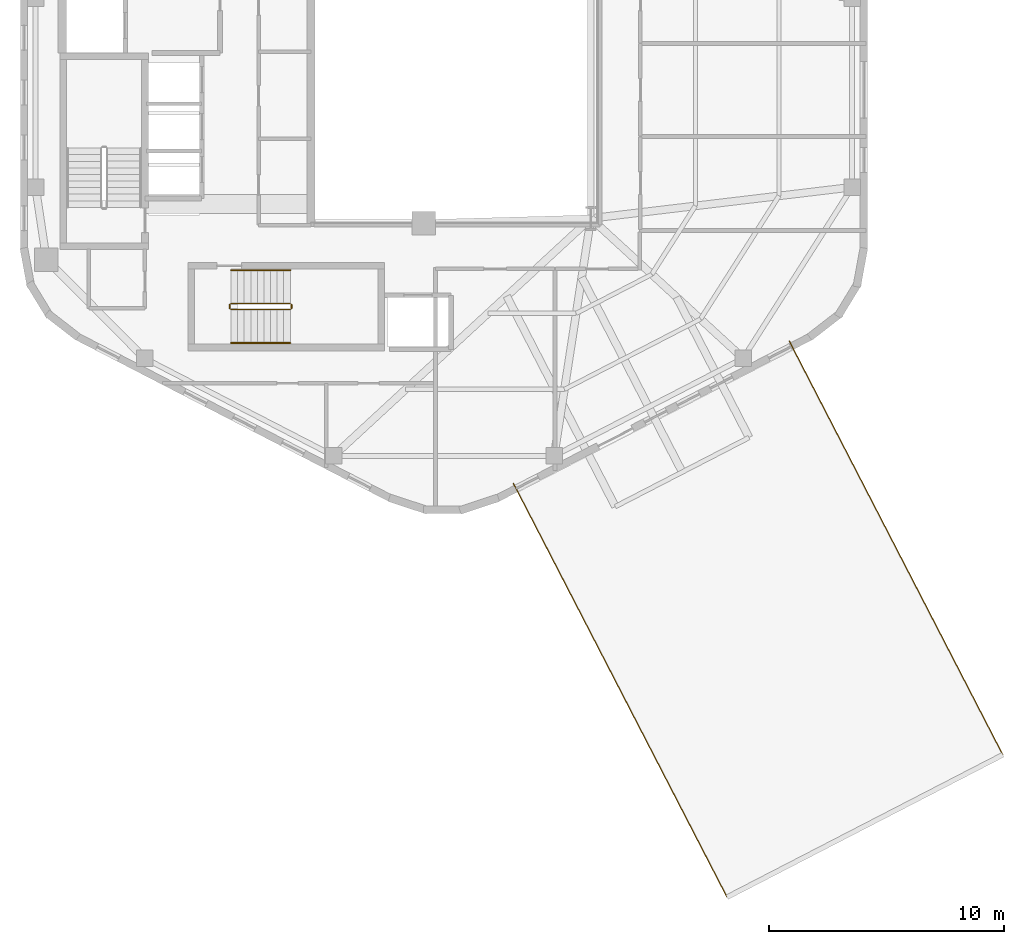
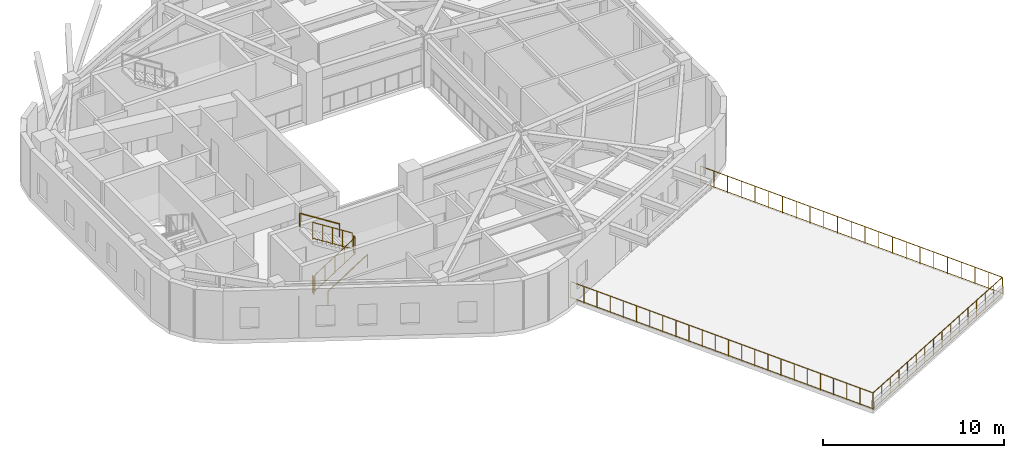
# One storey, part 7 of 8: 7 railings.
"""IFC4 building model written with IfcOpenShell, lengths in metres."""

from ifc_helpers import new_model, si_unit, direction, frame, origin, origin_2d, place, context, subcontext, project, spatial, circle, extrude, material, type_object, element, save


model = new_model("IFC4")

# Units and contexts
model_context = context("Model", 3, precision=1e-05, world=origin(), true_north=direction((0.0, 1.0)))
body_context = subcontext(model_context, "Body", "Model", "MODEL_VIEW")
ifc_project = project(units=[si_unit("LENGTHUNIT", "METRE"), si_unit("AREAUNIT", "SQUARE_METRE"), si_unit("VOLUMEUNIT", "CUBIC_METRE"), si_unit("PLANEANGLEUNIT", "RADIAN"), si_unit("MASSUNIT", "GRAM", prefix="KILO"), si_unit("THERMODYNAMICTEMPERATUREUNIT", "KELVIN"), si_unit("POWERUNIT", "WATT")], contexts=[model_context])

# Site, building, storey
site_placement = place(None, origin())
site = spatial("IfcSite", under=ifc_project, at=site_placement, CompositionType="ELEMENT")
building_placement = place(site_placement, origin())
building = spatial("IfcBuilding", under=site, at=building_placement, Name="Skarre Station Tower", CompositionType="ELEMENT")
storey_placement = place(building_placement, frame((0.0, 0.0, 245.449951171875)))
storey = spatial("IfcBuildingStorey", under=building, at=storey_placement, Name="L67", CompositionType="ELEMENT", Elevation=245.449951171875)

# Railings
ifc_material_1 = material(Name="Stainless Steel Grade 316L & Laminated Safety Glass", Category="steel")
railing_type_1 = type_object("IfcRailingType", Name="Laminated Glass & Stainless Terrace Guardrail 1150", PredefinedType="BALUSTRADE", material=ifc_material_1)
railing_1_placement = place(storey_placement, frame((36.157958984375, 7.3779296875, 0.0)))
element("IfcRailing", 1, at=railing_1_placement, inside=storey, type_object=railing_type_1, Name="L67 SB-5 Sky-Bar Roof Terrace Guardrail", PredefinedType="BALUSTRADE", context=body_context, shape_type="SweptSolid", body=[
    extrude(circle(Radius=0.02392578125, at=origin_2d()), frame((0.0, 0.0, 1.1259765625), z_axis=(0.45873211625, -0.888574614493, 0.0), x_axis=(0.888574614493, 0.45873211625, 0.0)), (0.0, 0.0, 1.0), 19.80029296875),
    extrude(circle(Radius=0.02099609375, at=origin_2d()), frame((0.0, 0.0, 0.06005859375), z_axis=(0.45873211625, -0.888574614493, 0.0), x_axis=(0.888574614493, 0.45873211625, 0.0)), (0.0, 0.0, 1.0), 19.80029296875),
    extrude(circle(Radius=0.02392578125, at=origin_2d()), frame((9.0830078125, -17.593994140625, 1.1259765625), z_axis=(0.888574451081, 0.458732432782, 0.0), x_axis=(-0.458732432782, 0.888574451081, 0.0)), (0.0, 0.0, 1.0), 13.19970703125),
    extrude(circle(Radius=0.02099609375, at=origin_2d()), frame((9.0830078125, -17.593994140625, 0.06005859375), z_axis=(0.888574451081, 0.458732432782, 0.0), x_axis=(-0.458732432782, 0.888574451081, 0.0)), (0.0, 0.0, 1.0), 13.19970703125),
    extrude(circle(Radius=0.02392578125, at=origin_2d()), frame((20.81201171875, -11.538818359375, 1.1259765625), z_axis=(-0.458693173014, 0.888594718097, 0.0), x_axis=(-0.888594718097, -0.458693173014, 0.0)), (0.0, 0.0, 1.0), 19.7998046875),
    extrude(circle(Radius=0.02099609375, at=origin_2d()), frame((20.81201171875, -11.538818359375, 0.06005859375), z_axis=(-0.458693173014, 0.888594718097, 0.0), x_axis=(-0.888594718097, -0.458693173014, 0.0)), (0.0, 0.0, 1.0), 19.7998046875),
    extrude(circle(Radius=0.02099609375, at=origin_2d()), origin(), (0.0, 0.0, 1.0), 1.101806640625),
    extrude(circle(Radius=0.02099609375, at=origin_2d()), frame((0.39501953125, -0.764892578125, 0.0)), (0.0, 0.0, 1.0), 1.101806640625),
    extrude(circle(Radius=0.02099609375, at=origin_2d()), frame((0.789794921875, -1.530029296875, 0.0)), (0.0, 0.0, 1.0), 1.101806640625),
    extrude(circle(Radius=0.02099609375, at=origin_2d()), frame((1.184814453125, -2.294921875, 0.0)), (0.0, 0.0, 1.0), 1.101806640625),
    extrude(circle(Radius=0.02099609375, at=origin_2d()), frame((1.57958984375, -3.059814453125, 0.0)), (0.0, 0.0, 1.0), 1.101806640625),
    extrude(circle(Radius=0.02099609375, at=origin_2d()), frame((1.974609375, -3.82470703125, 0.0)), (0.0, 0.0, 1.0), 1.101806640625),
    extrude(circle(Radius=0.02099609375, at=origin_2d()), frame((2.369384765625, -4.58984375, 0.0)), (0.0, 0.0, 1.0), 1.101806640625),
    extrude(circle(Radius=0.02099609375, at=origin_2d()), frame((2.764404296875, -5.354736328125, 0.0)), (0.0, 0.0, 1.0), 1.101806640625),
    extrude(circle(Radius=0.02099609375, at=origin_2d()), frame((3.159423828125, -6.11962890625, 0.0)), (0.0, 0.0, 1.0), 1.101806640625),
    extrude(circle(Radius=0.02099609375, at=origin_2d()), frame((3.55419921875, -6.884521484375, 0.0)), (0.0, 0.0, 1.0), 1.101806640625),
    extrude(circle(Radius=0.02099609375, at=origin_2d()), frame((3.94921875, -7.649658203125, 0.0)), (0.0, 0.0, 1.0), 1.101806640625),
    extrude(circle(Radius=0.02099609375, at=origin_2d()), frame((4.343994140625, -8.41455078125, 0.0)), (0.0, 0.0, 1.0), 1.101806640625),
    extrude(circle(Radius=0.02099609375, at=origin_2d()), frame((4.739013671875, -9.179443359375, 0.0)), (0.0, 0.0, 1.0), 1.101806640625),
    extrude(circle(Radius=0.02099609375, at=origin_2d()), frame((5.1337890625, -9.9443359375, 0.0)), (0.0, 0.0, 1.0), 1.101806640625),
    extrude(circle(Radius=0.02099609375, at=origin_2d()), frame((5.52880859375, -10.70947265625, 0.0)), (0.0, 0.0, 1.0), 1.101806640625),
    extrude(circle(Radius=0.02099609375, at=origin_2d()), frame((5.923583984375, -11.474365234375, 0.0)), (0.0, 0.0, 1.0), 1.101806640625),
    extrude(circle(Radius=0.02099609375, at=origin_2d()), frame((6.318603515625, -12.2392578125, 0.0)), (0.0, 0.0, 1.0), 1.101806640625),
    extrude(circle(Radius=0.02099609375, at=origin_2d()), frame((6.713623046875, -13.004150390625, 0.0)), (0.0, 0.0, 1.0), 1.101806640625),
    extrude(circle(Radius=0.02099609375, at=origin_2d()), frame((7.1083984375, -13.769287109375, 0.0)), (0.0, 0.0, 1.0), 1.101806640625),
    extrude(circle(Radius=0.02099609375, at=origin_2d()), frame((7.50341796875, -14.5341796875, 0.0)), (0.0, 0.0, 1.0), 1.101806640625),
    extrude(circle(Radius=0.02099609375, at=origin_2d()), frame((7.898193359375, -15.299072265625, 0.0)), (0.0, 0.0, 1.0), 1.101806640625),
    extrude(circle(Radius=0.02099609375, at=origin_2d()), frame((8.293212890625, -16.06396484375, 0.0)), (0.0, 0.0, 1.0), 1.101806640625),
    extrude(circle(Radius=0.02099609375, at=origin_2d()), frame((8.68798828125, -16.8291015625, 0.0)), (0.0, 0.0, 1.0), 1.101806640625),
    extrude(circle(Radius=0.02099609375, at=origin_2d()), frame((9.0830078125, -17.593994140625, 0.0)), (0.0, 0.0, 1.0), 1.101806640625),
    extrude(circle(Radius=0.02099609375, at=origin_2d()), frame((9.864990234375, -17.1904296875, 0.0)), (0.0, 0.0, 1.0), 1.101806640625),
    extrude(circle(Radius=0.02099609375, at=origin_2d()), frame((10.64697265625, -16.78662109375, 0.0)), (0.0, 0.0, 1.0), 1.101806640625),
    extrude(circle(Radius=0.02099609375, at=origin_2d()), frame((11.4287109375, -16.383056640625, 0.0)), (0.0, 0.0, 1.0), 1.101806640625),
    extrude(circle(Radius=0.02099609375, at=origin_2d()), frame((12.210693359375, -15.979248046875, 0.0)), (0.0, 0.0, 1.0), 1.101806640625),
    extrude(circle(Radius=0.02099609375, at=origin_2d()), frame((12.99267578125, -15.57568359375, 0.0)), (0.0, 0.0, 1.0), 1.101806640625),
    extrude(circle(Radius=0.02099609375, at=origin_2d()), frame((13.774658203125, -15.171875, 0.0)), (0.0, 0.0, 1.0), 1.101806640625),
    extrude(circle(Radius=0.02099609375, at=origin_2d()), frame((14.556640625, -14.768310546875, 0.0)), (0.0, 0.0, 1.0), 1.101806640625),
    extrude(circle(Radius=0.02099609375, at=origin_2d()), frame((15.33837890625, -14.364501953125, 0.0)), (0.0, 0.0, 1.0), 1.101806640625),
    extrude(circle(Radius=0.02099609375, at=origin_2d()), frame((16.120361328125, -13.9609375, 0.0)), (0.0, 0.0, 1.0), 1.101806640625),
    extrude(circle(Radius=0.02099609375, at=origin_2d()), frame((16.90234375, -13.55712890625, 0.0)), (0.0, 0.0, 1.0), 1.101806640625),
    extrude(circle(Radius=0.02099609375, at=origin_2d()), frame((17.684326171875, -13.153564453125, 0.0)), (0.0, 0.0, 1.0), 1.101806640625),
    extrude(circle(Radius=0.02099609375, at=origin_2d()), frame((18.46630859375, -12.749755859375, 0.0)), (0.0, 0.0, 1.0), 1.101806640625),
    extrude(circle(Radius=0.02099609375, at=origin_2d()), frame((19.248046875, -12.34619140625, 0.0)), (0.0, 0.0, 1.0), 1.101806640625),
    extrude(circle(Radius=0.02099609375, at=origin_2d()), frame((20.030029296875, -11.9423828125, 0.0)), (0.0, 0.0, 1.0), 1.101806640625),
    extrude(circle(Radius=0.02099609375, at=origin_2d()), frame((20.81201171875, -11.538818359375, 0.0)), (0.0, 0.0, 1.0), 1.101806640625),
    extrude(circle(Radius=0.02099609375, at=origin_2d()), frame((20.399169921875, -10.739013671875, 0.0)), (0.0, 0.0, 1.0), 1.101806640625),
    extrude(circle(Radius=0.02099609375, at=origin_2d()), frame((19.986328125, -9.939453125, 0.0)), (0.0, 0.0, 1.0), 1.101806640625),
    extrude(circle(Radius=0.02099609375, at=origin_2d()), frame((19.573486328125, -9.1396484375, 0.0)), (0.0, 0.0, 1.0), 1.101806640625),
    extrude(circle(Radius=0.02099609375, at=origin_2d()), frame((19.16064453125, -8.33984375, 0.0)), (0.0, 0.0, 1.0), 1.101806640625),
    extrude(circle(Radius=0.02099609375, at=origin_2d()), frame((18.747802734375, -7.540283203125, 0.0)), (0.0, 0.0, 1.0), 1.101806640625),
    extrude(circle(Radius=0.02099609375, at=origin_2d()), frame((18.335205078125, -6.740478515625, 0.0)), (0.0, 0.0, 1.0), 1.101806640625),
    extrude(circle(Radius=0.02099609375, at=origin_2d()), frame((17.92236328125, -5.940673828125, 0.0)), (0.0, 0.0, 1.0), 1.101806640625),
    extrude(circle(Radius=0.02099609375, at=origin_2d()), frame((17.509521484375, -5.14111328125, 0.0)), (0.0, 0.0, 1.0), 1.101806640625),
    extrude(circle(Radius=0.02099609375, at=origin_2d()), frame((17.0966796875, -4.34130859375, 0.0)), (0.0, 0.0, 1.0), 1.101806640625),
    extrude(circle(Radius=0.02099609375, at=origin_2d()), frame((16.683837890625, -3.54150390625, 0.0)), (0.0, 0.0, 1.0), 1.101806640625),
    extrude(circle(Radius=0.02099609375, at=origin_2d()), frame((16.27099609375, -2.74169921875, 0.0)), (0.0, 0.0, 1.0), 1.101806640625),
    extrude(circle(Radius=0.02099609375, at=origin_2d()), frame((15.858154296875, -1.942138671875, 0.0)), (0.0, 0.0, 1.0), 1.101806640625),
    extrude(circle(Radius=0.02099609375, at=origin_2d()), frame((15.4453125, -1.142333984375, 0.0)), (0.0, 0.0, 1.0), 1.101806640625),
    extrude(circle(Radius=0.02099609375, at=origin_2d()), frame((15.032470703125, -0.342529296875, 0.0)), (0.0, 0.0, 1.0), 1.101806640625),
    extrude(circle(Radius=0.02099609375, at=origin_2d()), frame((14.61962890625, 0.45703125, 0.0)), (0.0, 0.0, 1.0), 1.101806640625),
    extrude(circle(Radius=0.02099609375, at=origin_2d()), frame((14.206787109375, 1.2568359375, 0.0)), (0.0, 0.0, 1.0), 1.101806640625),
    extrude(circle(Radius=0.02099609375, at=origin_2d()), frame((13.794189453125, 2.056640625, 0.0)), (0.0, 0.0, 1.0), 1.101806640625),
    extrude(circle(Radius=0.02099609375, at=origin_2d()), frame((13.38134765625, 2.856201171875, 0.0)), (0.0, 0.0, 1.0), 1.101806640625),
    extrude(circle(Radius=0.02099609375, at=origin_2d()), frame((12.968505859375, 3.656005859375, 0.0)), (0.0, 0.0, 1.0), 1.101806640625),
    extrude(circle(Radius=0.02099609375, at=origin_2d()), frame((12.5556640625, 4.455810546875, 0.0)), (0.0, 0.0, 1.0), 1.101806640625),
    extrude(circle(Radius=0.02099609375, at=origin_2d()), frame((12.142822265625, 5.25537109375, 0.0)), (0.0, 0.0, 1.0), 1.101806640625),
    extrude(circle(Radius=0.02099609375, at=origin_2d()), frame((11.72998046875, 6.05517578125, 0.0)), (0.0, 0.0, 1.0), 1.101806640625),
])
ifc_material_2 = material(Name="Powder-Coated Tubular Steel", Category="steel")
railing_type_2 = type_object("IfcRailingType", Name="Painted Steel Ramp & Stair Handrail 920", PredefinedType="HANDRAIL", material=ifc_material_2)
railing_2_placement = place(storey_placement, frame((24.14990234375, 13.35009765625, 0.177490234375)))
element("IfcRailing", 2, at=railing_2_placement, inside=storey, type_object=railing_type_2, Name="L67 ST-2 stair handrail 1", PredefinedType="HANDRAIL", context=body_context, shape_type="SweptSolid", body=[
    extrude(circle(Radius=0.02392578125, at=origin_2d()), frame((0.0, 0.0, 0.8759765625), z_axis=(0.84456994832, 0.0, 0.535445237532), x_axis=(0.0, 1.0, 0.0)), (0.0, 0.0, 1.0), 2.98388671875),
    extrude(circle(Radius=0.02099609375, at=origin_2d()), origin(), (0.0, 0.0, 1.0), 0.851806640625),
    extrude(circle(Radius=0.02099609375, at=origin_2d()), frame((2.52001953125, 0.0, 1.59765625)), (0.0, 0.0, 1.0), 0.851806640625),
])
railing_3_placement = place(storey_placement, frame((26.669921875, 16.449951171875, 1.95263671875)))
element("IfcRailing", 3, at=railing_3_placement, inside=storey, type_object=railing_type_2, Name="L67 ST-2 stair handrail 2", PredefinedType="HANDRAIL", context=body_context, shape_type="SweptSolid", body=[
    extrude(circle(Radius=0.02392578125, at=origin_2d()), frame((0.0, 0.0, 0.8759765625), z_axis=(-0.84460694969, 0.0, 0.535386869969), x_axis=(0.0, -1.0, 0.0)), (0.0, 0.0, 1.0), 2.983642578125),
    extrude(circle(Radius=0.02099609375, at=origin_2d()), origin(), (0.0, 0.0, 1.0), 0.851806640625),
    extrude(circle(Radius=0.02099609375, at=origin_2d()), frame((-2.52001953125, 0.0, 1.597412109375)), (0.0, 0.0, 1.0), 0.851806640625),
])
railing_type_3 = type_object("IfcRailingType", Name="Painted Steel Stairwell Guardrail 1100", PredefinedType="GUARDRAIL", material=ifc_material_2)
railing_4_placement = place(storey_placement, frame((24.14990234375, 14.77001953125, 0.177490234375)))
element("IfcRailing", 4, at=railing_4_placement, inside=storey, type_object=railing_type_3, Name="L67 ST-2 stair guard 1", PredefinedType="GUARDRAIL", context=body_context, shape_type="SweptSolid", body=[
    extrude(circle(Radius=0.02392578125, at=origin_2d()), frame((0.0, 0.0, 1.1259765625), z_axis=(0.84456994832, 0.0, 0.535445237532), x_axis=(0.0, 1.0, 0.0)), (0.0, 0.0, 1.0), 2.98388671875),
    extrude(circle(Radius=0.02099609375, at=origin_2d()), frame((0.0, 0.0, 0.06005859375), z_axis=(0.84456994832, 0.0, 0.535445237532), x_axis=(0.0, 1.0, 0.0)), (0.0, 0.0, 1.0), 2.98388671875),
    extrude(circle(Radius=0.02099609375, at=origin_2d()), origin(), (0.0, 0.0, 1.0), 1.101806640625),
    extrude(circle(Radius=0.02099609375, at=origin_2d()), frame((0.6298828125, 0.0, 0.3994140625)), (0.0, 0.0, 1.0), 1.101806640625),
    extrude(circle(Radius=0.02099609375, at=origin_2d()), frame((1.260009765625, 0.0, 0.798828125)), (0.0, 0.0, 1.0), 1.101806640625),
    extrude(circle(Radius=0.02099609375, at=origin_2d()), frame((1.89013671875, 0.0, 1.1982421875)), (0.0, 0.0, 1.0), 1.101806640625),
    extrude(circle(Radius=0.02099609375, at=origin_2d()), frame((2.52001953125, 0.0, 1.59765625)), (0.0, 0.0, 1.0), 1.101806640625),
])
railing_5_placement = place(storey_placement, frame((26.719970703125, 14.820068359375, 1.775146484375)))
element("IfcRailing", 5, at=railing_5_placement, inside=storey, type_object=railing_type_3, Name="L67 ST-2 stair guard 2", PredefinedType="GUARDRAIL", context=body_context, shape_type="SweptSolid", body=[
    extrude(circle(Radius=0.02392578125, at=origin_2d()), frame((0.0, 0.0, 1.1259765625), z_axis=(0.0, 1.0, 0.0), x_axis=(-1.0, 0.0, 0.0)), (0.0, 0.0, 1.0), 0.159912109375),
    extrude(circle(Radius=0.02099609375, at=origin_2d()), frame((0.0, 0.0, 0.06005859375), z_axis=(0.0, 1.0, 0.0), x_axis=(-1.0, 0.0, 0.0)), (0.0, 0.0, 1.0), 0.159912109375),
    extrude(circle(Radius=0.02099609375, at=origin_2d()), origin(), (0.0, 0.0, 1.0), 1.101806640625),
    extrude(circle(Radius=0.02099609375, at=origin_2d()), frame((0.0, 0.159912109375, 0.0)), (0.0, 0.0, 1.0), 1.101806640625),
])
railing_6_placement = place(storey_placement, frame((26.669921875, 15.030029296875, 1.95263671875)))
element("IfcRailing", 6, at=railing_6_placement, inside=storey, type_object=railing_type_3, Name="L67 ST-2 stair guard 3", PredefinedType="GUARDRAIL", context=body_context, shape_type="SweptSolid", body=[
    extrude(circle(Radius=0.02392578125, at=origin_2d()), frame((0.0, 0.0, 1.1259765625), z_axis=(-0.84460694969, 0.0, 0.535386869969), x_axis=(0.0, -1.0, 0.0)), (0.0, 0.0, 1.0), 2.983642578125),
    extrude(circle(Radius=0.02099609375, at=origin_2d()), frame((0.0, 0.0, 0.06005859375), z_axis=(-0.84460694969, 0.0, 0.535386869969), x_axis=(0.0, -1.0, 0.0)), (0.0, 0.0, 1.0), 2.983642578125),
    extrude(circle(Radius=0.02099609375, at=origin_2d()), origin(), (0.0, 0.0, 1.0), 1.101806640625),
    extrude(circle(Radius=0.02099609375, at=origin_2d()), frame((-0.6298828125, 0.0, 0.3994140625)), (0.0, 0.0, 1.0), 1.101806640625),
    extrude(circle(Radius=0.02099609375, at=origin_2d()), frame((-1.260009765625, 0.0, 0.798828125)), (0.0, 0.0, 1.0), 1.101806640625),
    extrude(circle(Radius=0.02099609375, at=origin_2d()), frame((-1.89013671875, 0.0, 1.197998046875)), (0.0, 0.0, 1.0), 1.101806640625),
    extrude(circle(Radius=0.02099609375, at=origin_2d()), frame((-2.52001953125, 0.0, 1.597412109375)), (0.0, 0.0, 1.0), 1.101806640625),
])
railing_7_placement = place(storey_placement, frame((24.10009765625, 14.820068359375, 0.0)))
element("IfcRailing", 7, at=railing_7_placement, inside=storey, type_object=railing_type_3, Name="L67 ST-2 stair guard 4", PredefinedType="GUARDRAIL", context=body_context, shape_type="SweptSolid", body=[
    extrude(circle(Radius=0.02392578125, at=origin_2d()), frame((0.0, 0.0, 1.1259765625), z_axis=(0.0, 1.0, 0.0), x_axis=(-1.0, 0.0, 0.0)), (0.0, 0.0, 1.0), 0.159912109375),
    extrude(circle(Radius=0.02099609375, at=origin_2d()), frame((0.0, 0.0, 0.06005859375), z_axis=(0.0, 1.0, 0.0), x_axis=(-1.0, 0.0, 0.0)), (0.0, 0.0, 1.0), 0.159912109375),
    extrude(circle(Radius=0.02099609375, at=origin_2d()), origin(), (0.0, 0.0, 1.0), 1.101806640625),
    extrude(circle(Radius=0.02099609375, at=origin_2d()), frame((0.0, 0.159912109375, 0.0)), (0.0, 0.0, 1.0), 1.101806640625),
])

save(model, "model.ifc")
